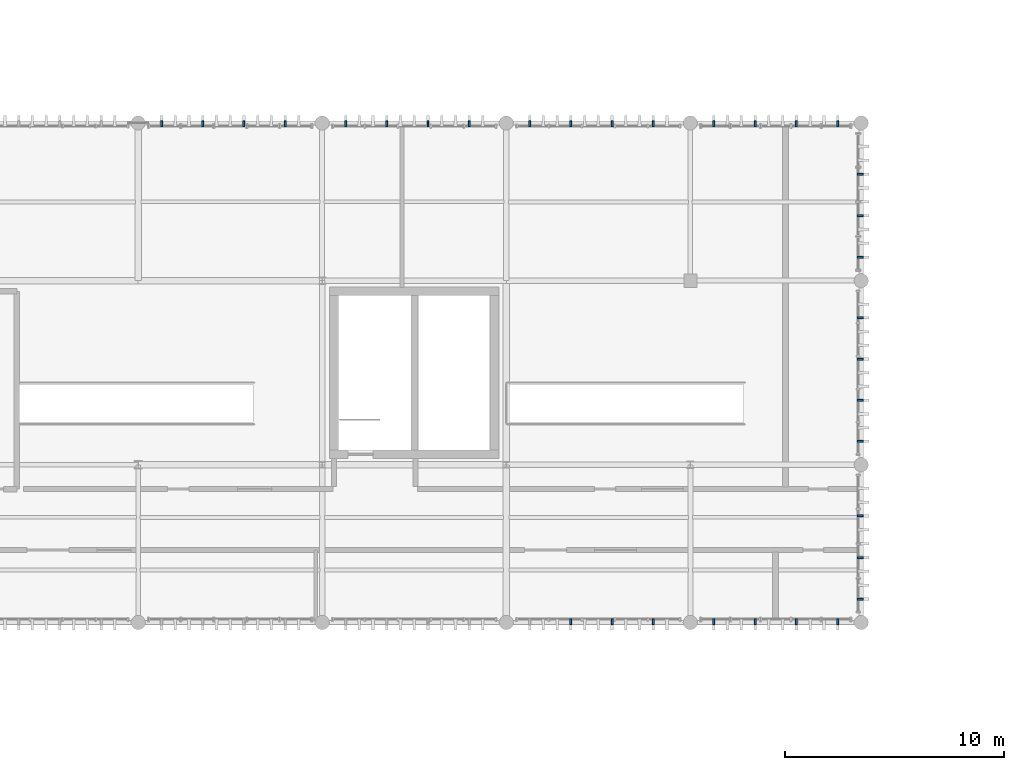
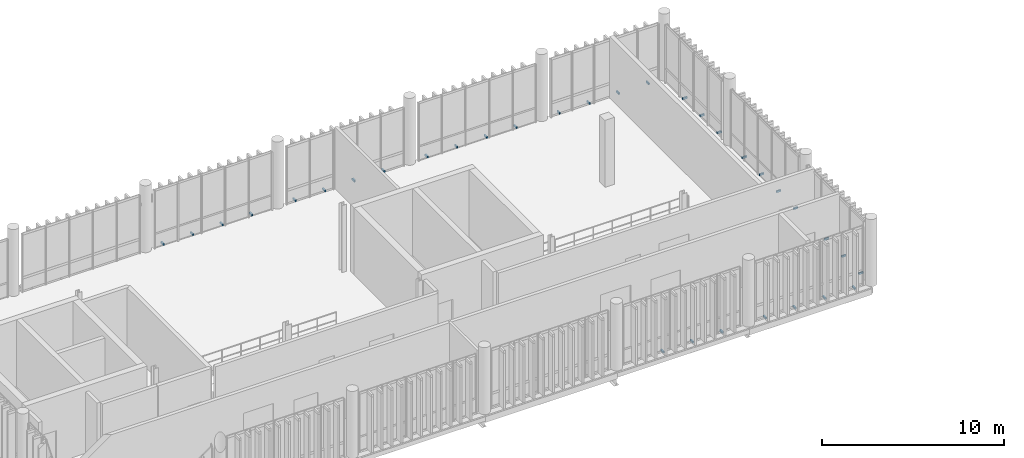
# One storey, part 61 of 66: 33 discrete accessories.
"""IFC4 building model written with IfcOpenShell, lengths in metres."""

from ifc_helpers import new_model, si_unit, direction, frame, origin_with_axes, origin_2d_with_axis, place, context, subcontext, project, spatial, rectangle, extrude, material, type_object, element, save


model = new_model("IFC4")

# Units and contexts
model_context = context("Model", 3, precision=1e-05, world=origin_with_axes(), true_north=direction((0.0, 1.0)))
body_context = subcontext(model_context, "Body", "Model", "MODEL_VIEW")
ifc_project = project(units=[si_unit("LENGTHUNIT", "METRE"), si_unit("AREAUNIT", "SQUARE_METRE"), si_unit("VOLUMEUNIT", "CUBIC_METRE"), si_unit("PLANEANGLEUNIT", "RADIAN"), si_unit("MASSUNIT", "GRAM", prefix="KILO"), si_unit("THERMODYNAMICTEMPERATUREUNIT", "KELVIN")], contexts=[model_context])

# Site, building, storey
site_placement = place(None, origin_with_axes())
site = spatial("IfcSite", under=ifc_project, at=site_placement, CompositionType="ELEMENT")
building_placement = place(site_placement, origin_with_axes())
building = spatial("IfcBuilding", under=site, at=building_placement, Name="Montbau Bow Law Courts", CompositionType="ELEMENT")
storey_placement = place(building_placement, frame((0.0, 0.0, 34.5), z_axis=(0.0, 0.0, 1.0), x_axis=(1.0, 0.0, 0.0)))
storey = spatial("IfcBuildingStorey", under=building, at=storey_placement, Name="L07", CompositionType="ELEMENT", Elevation=34.5)

# Discrete accessories
ifc_material = material(Name="Stainless Steel AISI 316L Outrigger Louvre Bracket", Category="steel")
discrete_accessory_type = type_object("IfcDiscreteAccessoryType", Name="DA-BRK-01", PredefinedType="BRACKET", material=ifc_material)
for number, where, z_axis, x_axis, name in (
    (1, (91.747, 39.04, 34.5), (0.0, 0.0, 1.0), (0.0, -1.0, 0.0), "BRK-L07-0812:brk_0812"),
    (2, (93.627, 39.04, 34.5), (0.0, 0.0, 1.0), (0.0, -1.0, 0.0), "BRK-L07-0813:brk_0813"),
    (3, (95.507, 39.04, 34.5), (0.0, 0.0, 1.0), (0.0, -1.0, 0.0), "BRK-L07-0814:brk_0814"),
    (4, (98.269, 39.04, 34.5), (0.0, 0.0, 1.0), (0.0, -1.0, 0.0), "BRK-L07-0815:brk_0815"),
    (5, (100.156, 39.04, 34.5), (0.0, 0.0, 1.0), (0.0, -1.0, 0.0), "BRK-L07-0816:brk_0816"),
    (6, (102.044, 39.04, 34.5), (0.0, 0.0, 1.0), (0.0, -1.0, 0.0), "BRK-L07-0817:brk_0817"),
    (7, (103.931, 39.04, 34.5), (0.0, 0.0, 1.0), (0.0, -1.0, 0.0), "BRK-L07-0818:brk_0818"),
    (8, (73.067, 61.76, 34.5), (0.0, 0.0, 1.0), (0.0, 1.0, 0.0), "BRK-L07-0827:brk_0827"),
    (9, (74.947, 61.76, 34.5), (0.0, 0.0, 1.0), (0.0, 1.0, 0.0), "BRK-L07-0828:brk_0828"),
    (10, (76.827, 61.76, 34.5), (0.0, 0.0, 1.0), (0.0, 1.0, 0.0), "BRK-L07-0829:brk_0829"),
    (11, (78.707, 61.76, 34.5), (0.0, 0.0, 1.0), (0.0, 1.0, 0.0), "BRK-L07-0830:brk_0830"),
    (12, (81.467, 61.76, 34.5), (0.0, 0.0, 1.0), (0.0, 1.0, 0.0), "BRK-L07-0831:brk_0831"),
    (13, (83.347, 61.76, 34.5), (0.0, 0.0, 1.0), (0.0, 1.0, 0.0), "BRK-L07-0832:brk_0832"),
    (14, (85.227, 61.76, 34.5), (0.0, 0.0, 1.0), (0.0, 1.0, 0.0), "BRK-L07-0833:brk_0833"),
    (15, (87.107, 61.76, 34.5), (0.0, 0.0, 1.0), (0.0, 1.0, 0.0), "BRK-L07-0834:brk_0834"),
    (16, (89.867, 61.76, 34.5), (0.0, 0.0, 1.0), (0.0, 1.0, 0.0), "BRK-L07-0835:brk_0835"),
    (17, (91.747, 61.76, 34.5), (0.0, 0.0, 1.0), (0.0, 1.0, 0.0), "BRK-L07-0836:brk_0836"),
    (18, (93.627, 61.76, 34.5), (0.0, 0.0, 1.0), (0.0, 1.0, 0.0), "BRK-L07-0837:brk_0837"),
    (19, (95.507, 61.76, 34.5), (0.0, 0.0, 1.0), (0.0, 1.0, 0.0), "BRK-L07-0838:brk_0838"),
    (20, (98.269, 61.76, 34.5), (0.0, 0.0, 1.0), (0.0, 1.0, 0.0), "BRK-L07-0839:brk_0839"),
    (21, (100.156, 61.76, 34.5), (0.0, 0.0, 1.0), (0.0, 1.0, 0.0), "BRK-L07-0840:brk_0840"),
    (22, (102.044, 61.76, 34.5), (0.0, 0.0, 1.0), (0.0, 1.0, 0.0), "BRK-L07-0841:brk_0841"),
    (23, (103.931, 61.76, 34.5), (0.0, 0.0, 1.0), (0.0, 1.0, 0.0), "BRK-L07-0842:brk_0842"),
    (24, (104.96, 40.072, 34.5), (0.0, 0.0, 1.0), (1.0, 0.0, 0.0), "BRK-L07-0853:brk_0853"),
    (25, (104.96, 41.968, 34.5), (0.0, 0.0, 1.0), (1.0, 0.0, 0.0), "BRK-L07-0854:brk_0854"),
    (26, (104.96, 43.864, 34.5), (0.0, 0.0, 1.0), (1.0, 0.0, 0.0), "BRK-L07-0855:brk_0855"),
    (27, (104.96, 47.267, 34.5), (0.0, 0.0, 1.0), (1.0, 0.0, 0.0), "BRK-L07-0856:brk_0856"),
    (28, (104.96, 49.147, 34.5), (0.0, 0.0, 1.0), (1.0, 0.0, 0.0), "BRK-L07-0857:brk_0857"),
    (29, (104.96, 51.027, 34.5), (0.0, 0.0, 1.0), (1.0, 0.0, 0.0), "BRK-L07-0858:brk_0858"),
    (30, (104.96, 52.907, 34.5), (0.0, 0.0, 1.0), (1.0, 0.0, 0.0), "BRK-L07-0859:brk_0859"),
    (31, (104.96, 55.672, 34.5), (0.0, 0.0, 1.0), (1.0, 0.0, 0.0), "BRK-L07-0860:brk_0860"),
    (32, (104.96, 57.568, 34.5), (0.0, 0.0, 1.0), (1.0, 0.0, 0.0), "BRK-L07-0861:brk_0861"),
    (33, (104.96, 59.464, 34.5), (0.0, 0.0, 1.0), (1.0, 0.0, 0.0), "BRK-L07-0862:brk_0862"),
):
    element("IfcDiscreteAccessory", number, at=place(None, frame(where, z_axis=z_axis, x_axis=x_axis)), inside=storey, type_object=discrete_accessory_type, Name=name, PredefinedType="BRACKET", context=body_context, shape_type="SweptSolid", body=[
        extrude(rectangle(XDim=0.28, YDim=0.09, at=origin_2d_with_axis()), origin_with_axes(), (0.0, 0.0, 1.0), 0.12),
    ])

save(model, "model.ifc")
